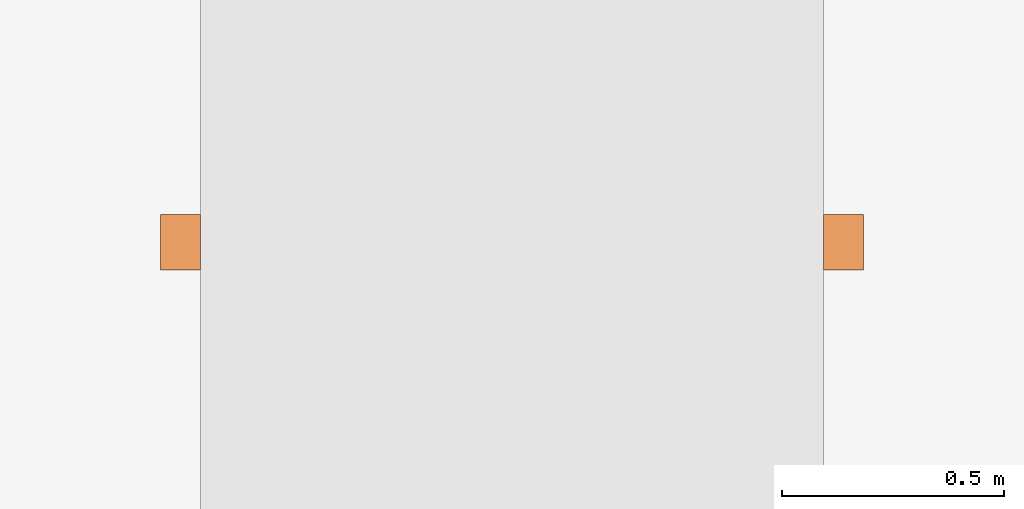
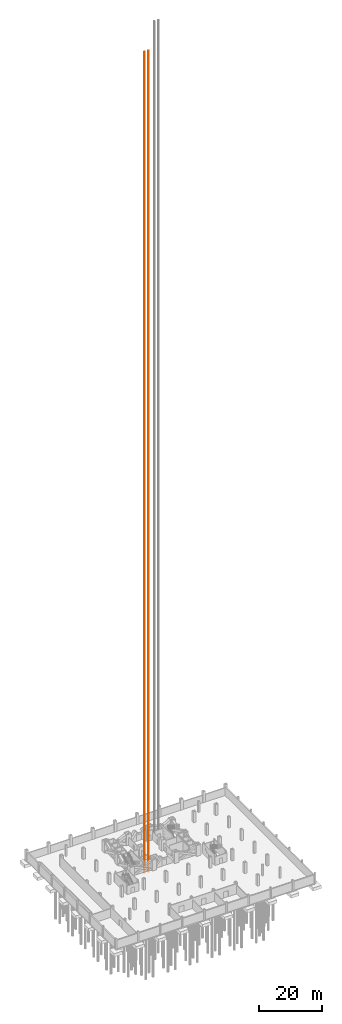
# One storey, part 16 of 17: 1 proxy.
"""IFC4 building model written with IfcOpenShell, lengths in metres."""

from ifc_helpers import new_model, si_unit, direction, frame, origin, origin_2d, place, context, subcontext, project, spatial, rectangle, extrude, material, element, save


model = new_model("IFC4")

# Units and contexts
model_context = context("Model", 3, precision=1e-05, world=origin(), true_north=direction((0.0, 1.0)))
body_context = subcontext(model_context, "Body", "Model", "MODEL_VIEW")
ifc_project = project(units=[si_unit("LENGTHUNIT", "METRE"), si_unit("AREAUNIT", "SQUARE_METRE"), si_unit("VOLUMEUNIT", "CUBIC_METRE"), si_unit("PLANEANGLEUNIT", "RADIAN"), si_unit("MASSUNIT", "GRAM", prefix="KILO")], contexts=[model_context])

# Site, building, storey
site_placement = place(None, origin())
site = spatial("IfcSite", under=ifc_project, at=site_placement, CompositionType="ELEMENT")
building_placement = place(site_placement, origin())
building = spatial("IfcBuilding", under=site, at=building_placement, Name="Kopane Lantern Tower", CompositionType="ELEMENT")
storey_placement = place(building_placement, frame((0.0, 0.0, -8.39990234375)))
storey = spatial("IfcBuildingStorey", under=building, at=storey_placement, Name="L-02", CompositionType="ELEMENT", Elevation=-8.39990234375)

# Proxy
ifc_material = material(Name="Steel S355JR", Category="steel")
proxy_placement = place(storey_placement, frame((22.75, 25.85009765625, -1.5), z_axis=(0.0, 0.0, 1.0), x_axis=(1.0, 0.0, 0.0)))
element("IfcBuildingElementProxy", 1, at=proxy_placement, inside=storey, material=ifc_material, Name="Lift guide rail frame LF1", ObjectType="LIFT GUIDE RAIL FRAME", PredefinedType="USERDEFINED", context=body_context, shape_type="SweptSolid", body=[
    extrude(rectangle(XDim=0.090087890625, YDim=0.125, at=origin_2d()), frame((-0.7451171875, 0.0, 0.0)), (0.0, 0.0, 1.0), 317.800048828125),
    extrude(rectangle(XDim=0.090087890625, YDim=0.125, at=origin_2d()), frame((0.7451171875, 0.0, 0.0)), (0.0, 0.0, 1.0), 317.800048828125),
])

save(model, "model.ifc")
